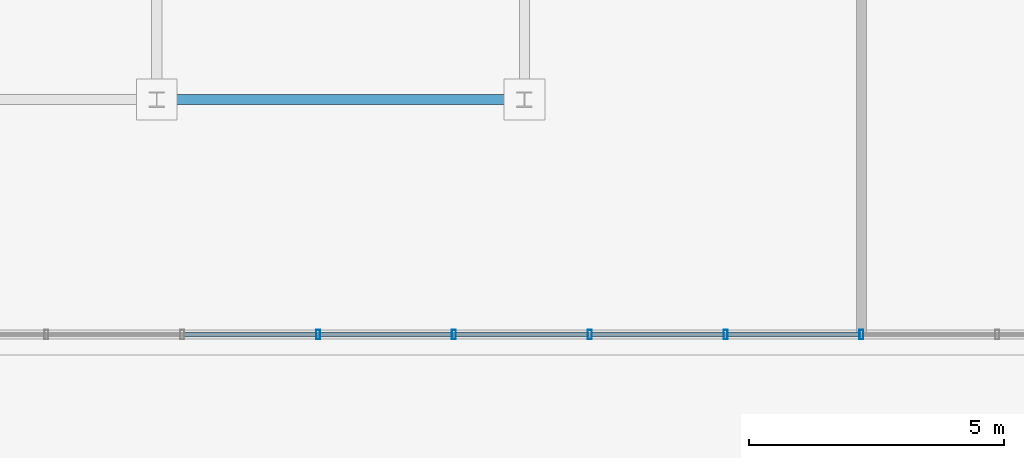
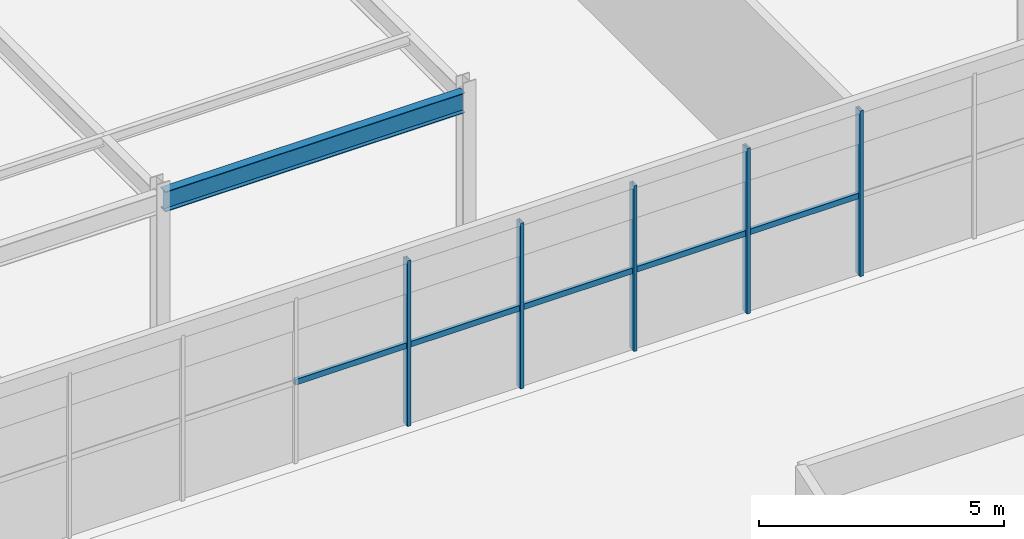
# One storey, part 6 of 38: 10 members, 1 beam, 1 element without a shape of its own.
"""IFC4 building model written with IfcOpenShell, lengths in metres."""

import ifcopenshell
import ifcopenshell.guid

model = None  # the IFC model being written
_history = None  # IfcOwnerHistory: only IFC2X3 demands one
_inside = {}  # id of a spatial element -> (the spatial element, [elements in it])
_under = {}  # id of a project, library or spatial element -> (it, [spatial elements below it])
_declared = {}  # id of a project -> (the project, [libraries it declares])
_typed = {}  # id of a type object -> (the type object, [elements of that type])
_made_of = {}  # id of a material, layer set ... -> (it, [elements and type objects made of it])


def new_model(schema):
    """Start an empty IFC model of exactly this schema.

    Asked for "IFC4X3", IfcOpenShell would pick the latest addendum, in which some entities
    have other attributes; the version numbers below select the first issue.
    IFC2X3 requires an IfcOwnerHistory on every rooted entity: one is made here for all.
    """
    global model, _history
    if schema == "IFC4X3":
        model = ifcopenshell.file(schema_version=(4, 3, 0, 0))
    else:
        model = ifcopenshell.file(schema=schema)
    _inside.clear()
    _under.clear()
    _declared.clear()
    _typed.clear()
    _made_of.clear()
    _history = None
    if model.schema == "IFC2X3":
        org = make("IfcOrganization", Name="unknown")
        user = make(
            "IfcPersonAndOrganization",
            ThePerson=make("IfcPerson", FamilyName="unknown"),
            TheOrganization=org,
        )
        app = make(
            "IfcApplication",
            ApplicationDeveloper=org,
            Version="unknown",
            ApplicationFullName="unknown",
            ApplicationIdentifier="unknown",
        )
        _history = make(
            "IfcOwnerHistory",
            OwningUser=user,
            OwningApplication=app,
            ChangeAction="ADDED",
            CreationDate=0,
        )
    return model


def make(cls, **values):
    """One entity of the class cls with the attributes given. An attribute that is None is left unset."""
    return model.create_entity(
        cls, **{name: value for name, value in values.items() if value is not None}
    )


def rooted(cls, **values):
    """An entity with a GlobalId (a new one), such as an element, a storey or a relation."""
    return make(cls, GlobalId=ifcopenshell.guid.new(), OwnerHistory=_history, **values)


def si_unit(unit_type, name, prefix=None):
    """IfcSIUnit, for example si_unit("LENGTHUNIT", "METRE", prefix="MILLI")."""
    return make("IfcSIUnit", UnitType=unit_type, Prefix=prefix, Name=name)


def assignment(units):
    """IfcUnitAssignment: the units of a project."""
    return None if units is None else make("IfcUnitAssignment", Units=units)


def point(xyz):
    """IfcCartesianPoint."""
    return None if xyz is None else make("IfcCartesianPoint", Coordinates=xyz)


def direction(xyz):
    """IfcDirection."""
    return None if xyz is None else make("IfcDirection", DirectionRatios=xyz)


def frame(location, z_axis=None, x_axis=None):
    """IfcAxis2Placement3D, a coordinate frame: its origin and axes. An axis left out is left unset."""
    return make(
        "IfcAxis2Placement3D",
        Location=point(location),
        Axis=direction(z_axis),
        RefDirection=direction(x_axis),
    )


def frame_2d(location, x_axis=None):
    """IfcAxis2Placement2D, a coordinate frame in the plane: its origin and x axis."""
    return make(
        "IfcAxis2Placement2D", Location=point(location), RefDirection=direction(x_axis)
    )


def origin():
    """The frame at (0, 0, 0) with its axes left unset."""
    return frame((0.0, 0.0, 0.0))


def origin_2d():
    """The frame at (0, 0) in the plane with its x axis left unset."""
    return frame_2d((0.0, 0.0))


def place(relative_to, where):
    """IfcLocalPlacement: puts the frame where relative to a parent placement (None: the world)."""
    return make(
        "IfcLocalPlacement", PlacementRelTo=relative_to, RelativePlacement=where
    )


def context(
    kind, dimensions, precision=None, world=None, true_north=None, identifier=None
):
    """IfcGeometricRepresentationContext, for example the 3D "Model" context."""
    return make(
        "IfcGeometricRepresentationContext",
        ContextIdentifier=identifier,
        ContextType=kind,
        CoordinateSpaceDimension=dimensions,
        Precision=precision,
        WorldCoordinateSystem=world,
        TrueNorth=true_north,
    )


def subcontext(parent, identifier, kind, view, scale=None):
    """IfcGeometricRepresentationSubContext, for example "Body" below "Model"."""
    return make(
        "IfcGeometricRepresentationSubContext",
        ContextIdentifier=identifier,
        ContextType=kind,
        ParentContext=parent,
        TargetScale=scale,
        TargetView=view,
    )


def project(units=None, contexts=None):
    """IfcProject with its units and contexts."""
    return rooted(
        "IfcProject",
        Name="project",
        RepresentationContexts=contexts,
        UnitsInContext=assignment(units),
    )


def spatial(cls, under=None, at=None, **own):
    """A site, building, storey or space (cls), placed at a placement, below another one or the project."""
    s = rooted(cls, ObjectPlacement=at, **own)
    if under is not None:
        _under.setdefault(under.id(), (under, []))[1].append(s)
    return s


def profile(cls, at=None, kind="AREA", **sizes):
    """A parametric profile (cls). Its sizes go by their IFC names, for example OverallWidth=200.0."""
    return make(cls, ProfileType=kind, Position=at, **sizes)


def hollow_rectangle(**sizes):
    """IfcRectangleHollowProfileDef."""
    return profile("IfcRectangleHollowProfileDef", **sizes)


def i_section(**sizes):
    """IfcIShapeProfileDef."""
    return profile("IfcIShapeProfileDef", **sizes)


def extrude(swept, where, along, depth):
    """IfcExtrudedAreaSolid: the profile swept, set in the frame where, extruded along a direction by depth."""
    return make(
        "IfcExtrudedAreaSolid",
        SweptArea=swept,
        Position=where,
        ExtrudedDirection=direction(along),
        Depth=depth,
    )


def shape(context_of_items, identifier, shape_type, items):
    """IfcShapeRepresentation: the items that make up one representation, for example the "Body"."""
    return make(
        "IfcShapeRepresentation",
        ContextOfItems=context_of_items,
        RepresentationIdentifier=identifier,
        RepresentationType=shape_type,
        Items=items,
    )


def source(mapping_origin, context_of_items, identifier, shape_type, items):
    """IfcRepresentationMap: a shape defined once, which mapped items show again and again."""
    return make(
        "IfcRepresentationMap",
        MappingOrigin=mapping_origin,
        MappedRepresentation=shape(context_of_items, identifier, shape_type, items),
    )


def transform(
    local_origin,
    x_axis=None,
    y_axis=None,
    z_axis=None,
    scale=None,
    scale2=None,
    scale3=None,
    uniform=True,
):
    """IfcCartesianTransformationOperator3D, or its non-uniform kind. x_axis, y_axis, z_axis: its Axis1, 2, 3."""
    if uniform:
        return make(
            "IfcCartesianTransformationOperator3D",
            Axis1=direction(x_axis),
            Axis2=direction(y_axis),
            LocalOrigin=point(local_origin),
            Scale=scale,
            Axis3=direction(z_axis),
        )
    return make(
        "IfcCartesianTransformationOperator3DnonUniform",
        Axis1=direction(x_axis),
        Axis2=direction(y_axis),
        LocalOrigin=point(local_origin),
        Scale=scale,
        Axis3=direction(z_axis),
        Scale2=scale2,
        Scale3=scale3,
    )


def mapped(mapping_source, mapping_target):
    """IfcMappedItem: shows the shape of a source again, moved by a transform."""
    return make(
        "IfcMappedItem", MappingSource=mapping_source, MappingTarget=mapping_target
    )


def material(Name=None, Category=None):
    """IfcMaterial."""
    return make("IfcMaterial", Name=Name, Category=Category)


def material_profile(
    of_material, cross_section, Name=None, Category=None, Priority=None
):
    """IfcMaterialProfile: a cross section and its material."""
    return make(
        "IfcMaterialProfile",
        Name=Name,
        Material=of_material,
        Profile=cross_section,
        Priority=Priority,
        Category=Category,
    )


def profile_set(profiles, Name=None, composite=None):
    """IfcMaterialProfileSet."""
    return make(
        "IfcMaterialProfileSet",
        Name=Name,
        MaterialProfiles=profiles,
        CompositeProfile=composite,
    )


def made_of(thing, what):
    """Note that an element or type object is made of a material, layer set ...; save() writes the relation."""
    if what is not None:
        _made_of.setdefault(what.id(), (what, []))[1].append(thing)
    return thing


def type_object(cls, material=None, **own):
    """A type object (cls), such as IfcWallType, which elements share."""
    return made_of(rooted(cls, **own), material)


def element(
    cls,
    number,
    at=None,
    inside=None,
    cuts=None,
    type_object=None,
    material=None,
    context=None,
    identifier="Body",
    shape_type=None,
    held_by="IfcProductDefinitionShape",
    body=None,
    shapes=None,
    **own,
):
    """One element of the class cls, such as IfcWall. Its Tag is "e" and its number.

    at: its placement. inside: the storey or other place that contains it. cuts: it is an
    opening in that element (IfcRelVoidsElement). A single representation is given by context,
    identifier, shape_type and body (its items); several are given by shapes. held_by: the class
    of the entity that holds the representations. save() writes the other relations.
    """
    e = rooted(cls, Tag="e%d" % number, ObjectPlacement=at, **own)
    if body is not None:
        shapes = [shape(context, identifier, shape_type, body)]
    if shapes is not None:
        e.Representation = make(held_by, Representations=shapes)
    if inside is not None:
        _inside.setdefault(inside.id(), (inside, []))[1].append(e)
    if cuts is not None:
        rooted(
            "IfcRelVoidsElement", RelatingBuildingElement=cuts, RelatedOpeningElement=e
        )
    if type_object is not None:
        _typed.setdefault(type_object.id(), (type_object, []))[1].append(e)
    return made_of(e, material)


def aggregate(whole, parts):
    """IfcRelAggregates: a whole, such as a stair, and the parts it consists of."""
    return rooted("IfcRelAggregates", RelatingObject=whole, RelatedObjects=parts)


def save(model, path):
    """Write the relations noted so far, then the file.

    IfcRelAggregates (storeys below a building ...), IfcRelContainedInSpatialStructure (elements
    in a storey), IfcRelDefinesByType, IfcRelAssociatesMaterial and IfcRelDeclares: one each for
    every whole, place, type object, material and project.
    """
    for whole, parts in _under.values():
        aggregate(whole, parts)
    for where, things in _inside.values():
        rooted(
            "IfcRelContainedInSpatialStructure",
            RelatedElements=things,
            RelatingStructure=where,
        )
    for kind, things in _typed.values():
        rooted("IfcRelDefinesByType", RelatedObjects=things, RelatingType=kind)
    for what, things in _made_of.values():
        rooted("IfcRelAssociatesMaterial", RelatedObjects=things, RelatingMaterial=what)
    for by, libraries in _declared.values():
        rooted("IfcRelDeclares", RelatingContext=by, RelatedDefinitions=libraries)
    model.write(path)


model = new_model("IFC4")

# Units and contexts
model_context = context("Model", 3, precision=1e-05, world=origin(), true_north=direction((0.0, 1.0)))
body_context = subcontext(model_context, "Body", "Model", "MODEL_VIEW")
ifc_project = project(units=[si_unit("LENGTHUNIT", "METRE"), si_unit("AREAUNIT", "SQUARE_METRE"), si_unit("VOLUMEUNIT", "CUBIC_METRE"), si_unit("PLANEANGLEUNIT", "RADIAN"), si_unit("MASSUNIT", "GRAM", prefix="KILO")], contexts=[model_context])

# Site, building, storey
site_placement = place(None, origin())
site = spatial("IfcSite", under=ifc_project, at=site_placement, CompositionType="ELEMENT")
building_placement = place(site_placement, origin())
building = spatial("IfcBuilding", under=site, at=building_placement, Name="Trelvane Seafront Commons", CompositionType="ELEMENT")
storey_placement = place(building_placement, frame((0.0, 0.0, 299.10009765625)))
storey = spatial("IfcBuildingStorey", under=building, at=storey_placement, Name="L78", CompositionType="ELEMENT", Elevation=299.10009765625)

# Beam
ifc_material_1 = material(Name="Steel SM355 (S355)", Category="steel")
ifc_material_profile_1 = material_profile(ifc_material_1, i_section(OverallWidth=0.199951171875, OverallDepth=0.5, WebThickness=0.010009765625, FlangeThickness=0.01611328125, at=origin_2d()), Name="H-500x200x10x16")
ifc_profile_set_1 = profile_set([ifc_material_profile_1], Name="Steel SM355 (S355)")
beam_type = type_object("IfcBeamType", Name="STR-CROWN-FRAME-RING", PredefinedType="SPANDREL", material=ifc_profile_set_1)
shared_shape_1 = source(origin(), body_context, "Body", "SweptSolid", [
    extrude(i_section(OverallWidth=0.199951171875, OverallDepth=0.5, WebThickness=0.010009765625, FlangeThickness=0.01611328125, at=origin_2d()), origin(), (0.0, 0.0, 1.0), 7.0498046875),
])
beam_placement = place(storey_placement, frame((23.47509765625, 18.199951171875, 3.869873046875), z_axis=(1.0, 0.0, 0.0), x_axis=(0.0, 1.0, 0.0)))
element("IfcBeam", 1, at=beam_placement, inside=storey, type_object=beam_type, Name="L78 CROWN FRAME Ring Beam G-03", PredefinedType="SPANDREL", context=body_context, shape_type="MappedRepresentation", body=[
    mapped(shared_shape_1, transform((0.0, 0.0, 0.0), x_axis=(1.0, 0.0, 0.0), y_axis=(0.0, 1.0, 0.0), z_axis=(0.0, 0.0, 1.0), scale=1.0)),
])

# Curtain wall, members
ifc_material_2 = material(Name="Anodised pale-silver aluminium", Category="aluminium")
curtain_wall_type = type_object("IfcCurtainWallType", Name="ARCH-CW6-CROWN", PredefinedType="NOTDEFINED", material=ifc_material_2)
curtain_wall_placement = place(storey_placement, origin())
curtain_wall = element("IfcCurtainWall", 2, at=curtain_wall_placement, inside=storey, type_object=curtain_wall_type, Name="CW-L78-0127", PredefinedType="NOTDEFINED")
ifc_material_profile_2 = material_profile(ifc_material_2, hollow_rectangle(XDim=0.080078125, YDim=0.179931640625, WallThickness=0.00439453125, at=origin_2d()), Name="MULL-80x180x4.5")
ifc_profile_set_2 = profile_set([ifc_material_profile_2], Name="Anodised pale-silver aluminium")
member_type_1 = type_object("IfcMemberType", Name="ARCH-CW-MULL-180", PredefinedType="MULLION", material=ifc_profile_set_2)
shared_shape_2 = source(origin(), body_context, "Body", "SweptSolid", [
    extrude(hollow_rectangle(XDim=0.080078125, YDim=0.179931640625, WallThickness=0.00439453125, at=origin_2d()), origin(), (0.0, 0.0, 1.0), 4.119873046875),
])
member_1_placement = place(storey_placement, frame((37.199951171875, 13.60009765625, 0.0), z_axis=(0.0, 0.0, 1.0), x_axis=(1.0, 0.0, 0.0)))
member_1 = element("IfcMember", 3, at=member_1_placement, type_object=member_type_1, Name="CW-L78-0127-M10", PredefinedType="MULLION", context=body_context, shape_type="MappedRepresentation", body=[
    mapped(shared_shape_2, transform((0.0, 0.0, 0.0), x_axis=(1.0, 0.0, 0.0), y_axis=(0.0, 1.0, 0.0), z_axis=(0.0, 0.0, 1.0), scale=1.0)),
])
member_2_placement = place(storey_placement, frame((34.5400390625, 13.60009765625, 0.0), z_axis=(0.0, 0.0, 1.0), x_axis=(1.0, 0.0, 0.0)))
member_2 = element("IfcMember", 4, at=member_2_placement, type_object=member_type_1, Name="CW-L78-0127-M11", PredefinedType="MULLION", context=body_context, shape_type="MappedRepresentation", body=[
    mapped(shared_shape_2, transform((0.0, 0.0, 0.0), x_axis=(1.0, 0.0, 0.0), y_axis=(0.0, 1.0, 0.0), z_axis=(0.0, 0.0, 1.0), scale=1.0)),
])
member_3_placement = place(storey_placement, frame((31.8798828125, 13.60009765625, 0.0), z_axis=(0.0, 0.0, 1.0), x_axis=(1.0, 0.0, 0.0)))
member_3 = element("IfcMember", 5, at=member_3_placement, type_object=member_type_1, Name="CW-L78-0127-M12", PredefinedType="MULLION", context=body_context, shape_type="MappedRepresentation", body=[
    mapped(shared_shape_2, transform((0.0, 0.0, 0.0), x_axis=(1.0, 0.0, 0.0), y_axis=(0.0, 1.0, 0.0), z_axis=(0.0, 0.0, 1.0), scale=1.0)),
])
member_4_placement = place(storey_placement, frame((29.219970703125, 13.60009765625, 0.0), z_axis=(0.0, 0.0, 1.0), x_axis=(1.0, 0.0, 0.0)))
member_4 = element("IfcMember", 6, at=member_4_placement, type_object=member_type_1, Name="CW-L78-0127-M13", PredefinedType="MULLION", context=body_context, shape_type="MappedRepresentation", body=[
    mapped(shared_shape_2, transform((0.0, 0.0, 0.0), x_axis=(1.0, 0.0, 0.0), y_axis=(0.0, 1.0, 0.0), z_axis=(0.0, 0.0, 1.0), scale=1.0)),
])
member_5_placement = place(storey_placement, frame((26.56005859375, 13.60009765625, 0.0), z_axis=(0.0, 0.0, 1.0), x_axis=(1.0, 0.0, 0.0)))
member_5 = element("IfcMember", 7, at=member_5_placement, type_object=member_type_1, Name="CW-L78-0127-M14", PredefinedType="MULLION", context=body_context, shape_type="MappedRepresentation", body=[
    mapped(shared_shape_2, transform((0.0, 0.0, 0.0), x_axis=(1.0, 0.0, 0.0), y_axis=(0.0, 1.0, 0.0), z_axis=(0.0, 0.0, 1.0), scale=1.0)),
])
ifc_material_profile_3 = material_profile(ifc_material_2, hollow_rectangle(XDim=0.074951171875, YDim=0.139892578125, WallThickness=0.00390625, at=origin_2d()), Name="TRAN-75x140x4")
ifc_profile_set_3 = profile_set([ifc_material_profile_3], Name="Anodised pale-silver aluminium")
member_type_2 = type_object("IfcMemberType", Name="ARCH-CW-TRAN-140", PredefinedType="USERDEFINED", material=ifc_profile_set_3)
shared_shape_3 = source(origin(), body_context, "Body", "SweptSolid", [
    extrude(hollow_rectangle(XDim=0.074951171875, YDim=0.139892578125, WallThickness=0.00390625, at=origin_2d()), origin(), (0.0, 0.0, 1.0), 2.635986328125),
])
member_6_placement = place(storey_placement, frame((37.18798828125, 13.60009765625, 1.977783203125), z_axis=(-1.0, 0.0, 0.0), x_axis=(0.0, -1.0, 0.0)))
member_6 = element("IfcMember", 8, at=member_6_placement, type_object=member_type_2, Name="CW-L78-0127-T10", ObjectType="TRANSOM", PredefinedType="USERDEFINED", context=body_context, shape_type="MappedRepresentation", body=[
    mapped(shared_shape_3, transform((0.0, 0.0, 0.0), x_axis=(1.0, 0.0, 0.0), y_axis=(0.0, 1.0, 0.0), z_axis=(0.0, 0.0, 1.0), scale=1.0)),
])
member_7_placement = place(storey_placement, frame((34.528076171875, 13.60009765625, 1.977783203125), z_axis=(-1.0, 0.0, 0.0), x_axis=(0.0, -1.0, 0.0)))
member_7 = element("IfcMember", 9, at=member_7_placement, type_object=member_type_2, Name="CW-L78-0127-T11", ObjectType="TRANSOM", PredefinedType="USERDEFINED", context=body_context, shape_type="MappedRepresentation", body=[
    mapped(shared_shape_3, transform((0.0, 0.0, 0.0), x_axis=(1.0, 0.0, 0.0), y_axis=(0.0, 1.0, 0.0), z_axis=(0.0, 0.0, 1.0), scale=1.0)),
])
member_8_placement = place(storey_placement, frame((31.867919921875, 13.60009765625, 1.977783203125), z_axis=(-1.0, 0.0, 0.0), x_axis=(0.0, -1.0, 0.0)))
member_8 = element("IfcMember", 10, at=member_8_placement, type_object=member_type_2, Name="CW-L78-0127-T12", ObjectType="TRANSOM", PredefinedType="USERDEFINED", context=body_context, shape_type="MappedRepresentation", body=[
    mapped(shared_shape_3, transform((0.0, 0.0, 0.0), x_axis=(1.0, 0.0, 0.0), y_axis=(0.0, 1.0, 0.0), z_axis=(0.0, 0.0, 1.0), scale=1.0)),
])
member_9_placement = place(storey_placement, frame((29.2080078125, 13.60009765625, 1.977783203125), z_axis=(-1.0, 0.0, 0.0), x_axis=(0.0, -1.0, 0.0)))
member_9 = element("IfcMember", 11, at=member_9_placement, type_object=member_type_2, Name="CW-L78-0127-T13", ObjectType="TRANSOM", PredefinedType="USERDEFINED", context=body_context, shape_type="MappedRepresentation", body=[
    mapped(shared_shape_3, transform((0.0, 0.0, 0.0), x_axis=(1.0, 0.0, 0.0), y_axis=(0.0, 1.0, 0.0), z_axis=(0.0, 0.0, 1.0), scale=1.0)),
])
member_10_placement = place(storey_placement, frame((26.548095703125, 13.60009765625, 1.977783203125), z_axis=(-1.0, 0.0, 0.0), x_axis=(0.0, -1.0, 0.0)))
member_10 = element("IfcMember", 12, at=member_10_placement, type_object=member_type_2, Name="CW-L78-0127-T14", ObjectType="TRANSOM", PredefinedType="USERDEFINED", context=body_context, shape_type="MappedRepresentation", body=[
    mapped(shared_shape_3, transform((0.0, 0.0, 0.0), x_axis=(1.0, 0.0, 0.0), y_axis=(0.0, 1.0, 0.0), z_axis=(0.0, 0.0, 1.0), scale=1.0)),
])
aggregate(curtain_wall, [member_1, member_2, member_3, member_4, member_5, member_6, member_7, member_8, member_9, member_10])

save(model, "model.ifc")
